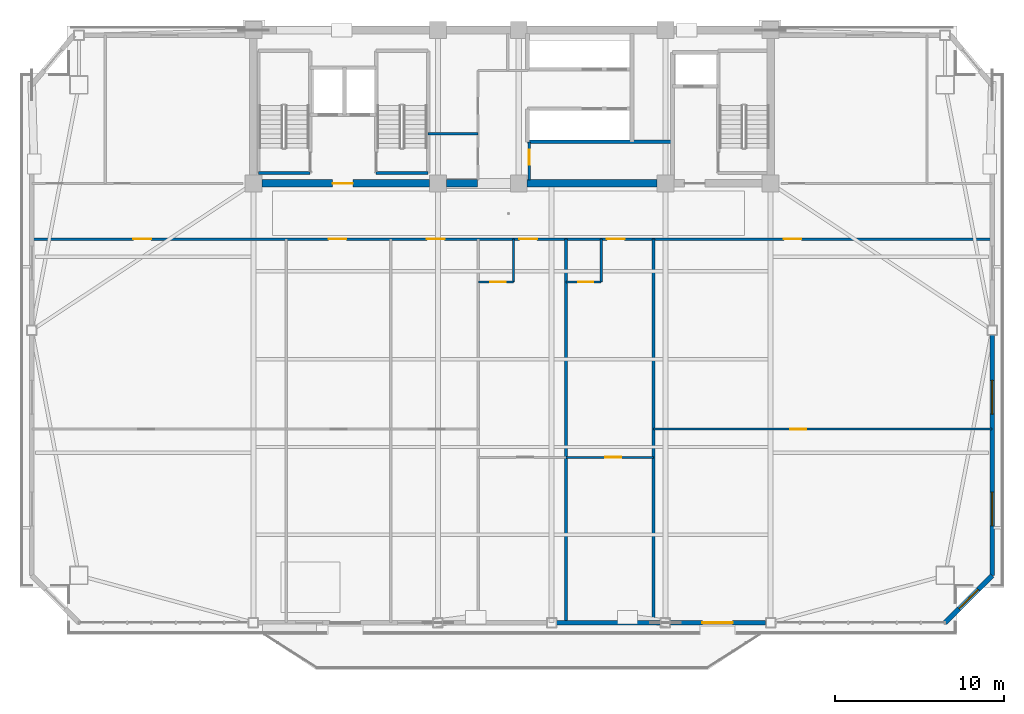
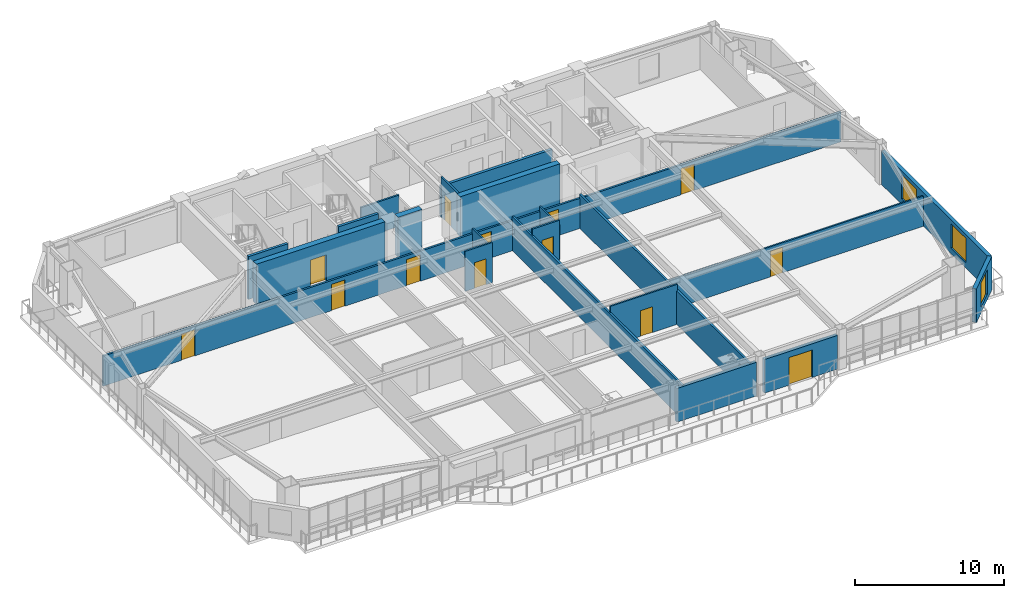
# One storey, part 9 of 17: 21 walls, 13 doors, 3 windows, 16 openings.
"""IFC4 building model written with IfcOpenShell, lengths in metres."""

from ifc_helpers import new_model, si_unit, direction, frame, frame_2d, origin, place, context, subcontext, project, spatial, rectangle, extrude, source, transform, mapped, material, layer, layer_set, type_object, element, fill, save


model = new_model("IFC4")

# Units and contexts
model_context = context("Model", 3, precision=1e-05, world=origin(), true_north=direction((0.0, 1.0)))
body_context = subcontext(model_context, "Body", "Model", "MODEL_VIEW")
ifc_project = project(units=[si_unit("LENGTHUNIT", "METRE"), si_unit("AREAUNIT", "SQUARE_METRE"), si_unit("VOLUMEUNIT", "CUBIC_METRE"), si_unit("PLANEANGLEUNIT", "RADIAN"), si_unit("MASSUNIT", "GRAM", prefix="KILO")], contexts=[model_context])

# Site, building, storey
site_placement = place(None, origin())
site = spatial("IfcSite", under=ifc_project, at=site_placement, CompositionType="ELEMENT")
building_placement = place(site_placement, origin())
building = spatial("IfcBuilding", under=site, at=building_placement, Name="Giltprow Tower", CompositionType="ELEMENT")
storey_placement = place(building_placement, frame((0.0, 0.0, 202.699951171875)))
storey = spatial("IfcBuildingStorey", under=building, at=storey_placement, Name="L51", CompositionType="ELEMENT", Elevation=202.699951171875)

# Wall, opening, window
ifc_material_1 = material(Name="Precast concrete C40", Category="concrete")
ifc_layer_1 = layer(ifc_material_1, 0.300048828125, Name="Precast concrete C40")
ifc_layer_set_1 = layer_set([ifc_layer_1], Name="Precast concrete C40")
wall_type_1 = type_object("IfcWallType", Name="EW-NOTCH-CHAMFER-300", PredefinedType="SOLIDWALL", material=ifc_layer_set_1)
wall_1_placement = place(storey_placement, frame((60.89794921875, 11.385986328125, 0.0), z_axis=(0.0, 0.0, 1.0), x_axis=(0.707106781187, 0.707106781187, 0.0)))
wall_1 = element("IfcWall", 1, at=wall_1_placement, inside=storey, type_object=wall_type_1, Name="L51 Corner Notch Wall SE", PredefinedType="SOLIDWALL", context=body_context, shape_type="SweptSolid", body=[
    extrude(rectangle(XDim=3.9599609375, YDim=0.300048828125, at=frame_2d((1.97998046875, 0.0))), origin(), (0.0, 0.0, 1.0), 2.75),
])
opening_1_placement = place(wall_1_placement, frame((1.179931640625, 0.0, 0.449951171875)))
opening_1 = element("IfcOpeningElement", 2, at=opening_1_placement, cuts=wall_1, Name="Opening WN17", PredefinedType="OPENING", context=body_context, shape_type="SweptSolid", body=[
    extrude(rectangle(XDim=1.60009765625, YDim=2.0, at=frame_2d((0.800048828125, 1.0))), frame((0.0, 0.159912109375, 0.0), z_axis=(0.0, -1.0, 0.0), x_axis=(1.0, 0.0, 0.0)), (0.0, 0.0, 1.0), 0.320068359375),
])
ifc_material_2 = material(Name="Insulated glass", Category="glass")
window_type_1 = type_object("IfcWindowType", Name="WN-COR-1600x2000", PartitioningType="SINGLE_PANEL", PredefinedType="WINDOW", material=ifc_material_2)
shared_shape_1 = source(origin(), body_context, "Body", "SweptSolid", [
    extrude(rectangle(XDim=1.60009765625, YDim=2.0, at=frame_2d((0.800048828125, 1.0))), frame((0.0, 0.030029296875, 0.0), z_axis=(0.0, -1.0, 0.0), x_axis=(1.0, 0.0, 0.0)), (0.0, 0.0, 1.0), 0.06005859375),
])
window_1_placement = place(opening_1_placement, origin())
window_1 = element("IfcWindow", 3, at=window_1_placement, inside=storey, type_object=window_type_1, Name="L51 Corner Notch Window SE", OverallHeight=2.0, OverallWidth=1.60009765625, PartitioningType="SINGLE_PANEL", PredefinedType="WINDOW", context=body_context, shape_type="MappedRepresentation", body=[
    mapped(shared_shape_1, transform((0.0, 0.0, 0.0), x_axis=(1.0, 0.0, 0.0), y_axis=(0.0, 1.0, 0.0), z_axis=(0.0, 0.0, 1.0), scale=1.0)),
])
fill(opening_1, window_1)

# Wall
ifc_layer_2 = layer(ifc_material_1, 0.280029296875, Name="Precast concrete C40")
ifc_layer_set_2 = layer_set([ifc_layer_2], Name="Precast concrete C40")
wall_type_2 = type_object("IfcWallType", Name="EW-TOW-BRONZE-280", PredefinedType="SOLIDWALL", material=ifc_layer_set_2)
wall_2_placement = place(storey_placement, frame((37.85009765625, 11.385986328125, 0.0), z_axis=(0.0, 0.0, 1.0), x_axis=(1.0, 0.0, 0.0)))
element("IfcWall", 4, at=wall_2_placement, inside=storey, type_object=wall_type_2, Name="L51 South Expressed Frame Wall 4", PredefinedType="SOLIDWALL", context=body_context, shape_type="SweptSolid", body=[
    extrude(rectangle(XDim=6.14990234375, YDim=0.280029296875, at=frame_2d((3.074951171875, 0.0))), origin(), (0.0, 0.0, 1.0), 2.75),
])

# Wall, opening, door
wall_3_placement = place(storey_placement, frame((44.60009765625, 11.385986328125, 0.0), z_axis=(0.0, 0.0, 1.0), x_axis=(1.0, 0.0, 0.0)))
wall_3 = element("IfcWall", 5, at=wall_3_placement, inside=storey, type_object=wall_type_2, Name="L51 South Expressed Frame Wall 5", PredefinedType="SOLIDWALL", context=body_context, shape_type="SweptSolid", body=[
    extrude(rectangle(XDim=5.64990234375, YDim=0.280029296875, at=frame_2d((2.824951171875, 0.0))), origin(), (0.0, 0.0, 1.0), 2.75),
])
opening_2_placement = place(wall_3_placement, frame((1.89990234375, 0.0, 0.0)))
opening_2 = element("IfcOpeningElement", 6, at=opening_2_placement, cuts=wall_3, Name="Opening ED25", PredefinedType="OPENING", context=body_context, shape_type="SweptSolid", body=[
    extrude(rectangle(XDim=1.800048828125, YDim=2.25, at=frame_2d((0.89990234375, 1.125))), frame((0.0, 0.14990234375, 0.0), z_axis=(0.0, -1.0, 0.0), x_axis=(1.0, 0.0, 0.0)), (0.0, 0.0, 1.0), 0.300048828125),
])
ifc_material_3 = material(Name="Anodized bronze and glass", Category="glass")
door_type_1 = type_object("IfcDoorType", Name="DR-BALC-SLIDE-1800", OperationType="SLIDING_TO_LEFT", PredefinedType="DOOR", material=ifc_material_3)
shared_shape_2 = source(origin(), body_context, "Body", "SweptSolid", [
    extrude(rectangle(XDim=1.800048828125, YDim=2.25, at=frame_2d((0.89990234375, 1.125))), frame((0.0, 0.02490234375, 0.0), z_axis=(0.0, -1.0, 0.0), x_axis=(1.0, 0.0, 0.0)), (0.0, 0.0, 1.0), 0.050048828125),
])
door_1_placement = place(opening_2_placement, origin())
door_1 = element("IfcDoor", 7, at=door_1_placement, inside=storey, type_object=door_type_1, Name="L51 Waterfront Balcony Sliding Door 2", OperationType="SLIDING_TO_LEFT", OverallHeight=2.25, OverallWidth=1.800048828125, PredefinedType="DOOR", context=body_context, shape_type="MappedRepresentation", body=[
    mapped(shared_shape_2, transform((0.0, 0.0, 0.0), x_axis=(1.0, 0.0, 0.0), y_axis=(0.0, 1.0, 0.0), z_axis=(0.0, 0.0, 1.0), scale=1.0)),
])
fill(opening_2, door_1)

# Wall, openings, windows
wall_4_placement = place(storey_placement, frame((63.697998046875, 14.18603515625, 0.0), z_axis=(0.0, 0.0, 1.0), x_axis=(0.0, 1.0, 0.0)))
wall_4 = element("IfcWall", 8, at=wall_4_placement, inside=storey, type_object=wall_type_2, Name="L51 E Wing Masonry Wall 1", PredefinedType="SOLIDWALL", context=body_context, shape_type="SweptSolid", body=[
    extrude(rectangle(XDim=14.257080078125, YDim=0.280029296875, at=frame_2d((7.12841796875, 0.0))), origin(), (0.0, 0.0, 1.0), 2.75),
])
opening_3_placement = place(wall_4_placement, frame((2.947021484375, 0.0, 0.449951171875)))
opening_3 = element("IfcOpeningElement", 9, at=opening_3_placement, cuts=wall_4, Name="Opening WN21", PredefinedType="OPENING", context=body_context, shape_type="SweptSolid", body=[
    extrude(rectangle(XDim=2.0, YDim=2.0, at=frame_2d((1.0, 1.0))), frame((0.0, 0.14990234375, 0.0), z_axis=(0.0, -1.0, 0.0), x_axis=(1.0, 0.0, 0.0)), (0.0, 0.0, 1.0), 0.300048828125),
])
opening_4_placement = place(wall_4_placement, frame((9.574951171875, 0.0, 0.449951171875)))
opening_4 = element("IfcOpeningElement", 10, at=opening_4_placement, cuts=wall_4, Name="Opening WN21", PredefinedType="OPENING", context=body_context, shape_type="SweptSolid", body=[
    extrude(rectangle(XDim=2.0, YDim=2.0, at=frame_2d((1.0, 1.0))), frame((0.0, 0.14990234375, 0.0), z_axis=(0.0, -1.0, 0.0), x_axis=(1.0, 0.0, 0.0)), (0.0, 0.0, 1.0), 0.300048828125),
])
window_type_2 = type_object("IfcWindowType", Name="WN-HTL-2000x2000", PartitioningType="DOUBLE_PANEL_VERTICAL", PredefinedType="WINDOW", material=ifc_material_2)
shared_shape_3 = source(origin(), body_context, "Body", "SweptSolid", [
    extrude(rectangle(XDim=2.0, YDim=2.0, at=frame_2d((1.0, 1.0))), frame((0.0, 0.030029296875, 0.0), z_axis=(0.0, -1.0, 0.0), x_axis=(1.0, 0.0, 0.0)), (0.0, 0.0, 1.0), 0.06005859375),
])
window_2_placement = place(opening_3_placement, origin())
window_2 = element("IfcWindow", 11, at=window_2_placement, inside=storey, type_object=window_type_2, Name="L51 E Wing Window 1-1A", OverallHeight=2.0, OverallWidth=2.0, PartitioningType="SINGLE_PANEL", PredefinedType="WINDOW", context=body_context, shape_type="MappedRepresentation", body=[
    mapped(shared_shape_3, transform((0.0, 0.0, 0.0), x_axis=(1.0, 0.0, 0.0), y_axis=(0.0, 1.0, 0.0), z_axis=(0.0, 0.0, 1.0), scale=1.0)),
])
fill(opening_3, window_2)
window_3_placement = place(opening_4_placement, origin())
window_3 = element("IfcWindow", 12, at=window_3_placement, inside=storey, type_object=window_type_2, Name="L51 E Wing Window 1-1B", OverallHeight=2.0, OverallWidth=2.0, PartitioningType="SINGLE_PANEL", PredefinedType="WINDOW", context=body_context, shape_type="MappedRepresentation", body=[
    mapped(shared_shape_3, transform((0.0, 0.0, 0.0), x_axis=(1.0, 0.0, 0.0), y_axis=(0.0, 1.0, 0.0), z_axis=(0.0, 0.0, 1.0), scale=1.0)),
])
fill(opening_4, window_3)

# Wall, openings, doors
ifc_material_4 = material(Name="Gypsum stud partition", Category="gypsum")
ifc_layer_3 = layer(ifc_material_4, 0.14990234375, Name="Gypsum stud partition")
ifc_layer_set_3 = layer_set([ifc_layer_3], Name="Gypsum stud partition")
wall_type_3 = type_object("IfcWallType", Name="IW-CORR-150", PredefinedType="PARTITIONING", material=ifc_layer_set_3)
wall_5_placement = place(storey_placement, frame((6.702880859375, 34.14990234375, 0.0), z_axis=(0.0, 0.0, 1.0), x_axis=(1.0, 0.0, 0.0)))
wall_5 = element("IfcWall", 13, at=wall_5_placement, inside=storey, type_object=wall_type_3, Name="L51 Hotel Guestroom Corridor Wall", PredefinedType="PARTITIONING", context=body_context, shape_type="SweptSolid", body=[
    extrude(rectangle(XDim=56.9951171875, YDim=0.14990234375, at=frame_2d((28.49755859375, 0.0))), origin(), (0.0, 0.0, 1.0), 2.455078125),
])
opening_5_placement = place(wall_5_placement, frame((6.030029296875, 0.0, 0.0)))
opening_5 = element("IfcOpeningElement", 14, at=opening_5_placement, cuts=wall_5, Name="Opening ID31", PredefinedType="OPENING", context=body_context, shape_type="SweptSolid", body=[
    extrude(rectangle(XDim=1.050048828125, YDim=2.14990234375, at=frame_2d((0.52490234375, 1.074951171875))), frame((0.0, 0.0849609375, 0.0), z_axis=(0.0, -1.0, 0.0), x_axis=(1.0, 0.0, 0.0)), (0.0, 0.0, 1.0), 0.169921875),
])
opening_6_placement = place(wall_5_placement, frame((17.6220703125, 0.0, 0.0)))
opening_6 = element("IfcOpeningElement", 15, at=opening_6_placement, cuts=wall_5, Name="Opening ID31", PredefinedType="OPENING", context=body_context, shape_type="SweptSolid", body=[
    extrude(rectangle(XDim=1.050048828125, YDim=2.14990234375, at=frame_2d((0.52490234375, 1.074951171875))), frame((0.0, 0.0849609375, 0.0), z_axis=(0.0, -1.0, 0.0), x_axis=(1.0, 0.0, 0.0)), (0.0, 0.0, 1.0), 0.169921875),
])
opening_7_placement = place(wall_5_placement, frame((23.44189453125, 0.0, 0.0)))
opening_7 = element("IfcOpeningElement", 16, at=opening_7_placement, cuts=wall_5, Name="Opening ID31", PredefinedType="OPENING", context=body_context, shape_type="SweptSolid", body=[
    extrude(rectangle(XDim=1.050048828125, YDim=2.14990234375, at=frame_2d((0.52490234375, 1.074951171875))), frame((0.0, 0.0849609375, 0.0), z_axis=(0.0, -1.0, 0.0), x_axis=(1.0, 0.0, 0.0)), (0.0, 0.0, 1.0), 0.169921875),
])
opening_8_placement = place(wall_5_placement, frame((28.93310546875, 0.0, 0.0)))
opening_8 = element("IfcOpeningElement", 17, at=opening_8_placement, cuts=wall_5, Name="Opening ID31", PredefinedType="OPENING", context=body_context, shape_type="SweptSolid", body=[
    extrude(rectangle(XDim=1.050048828125, YDim=2.14990234375, at=frame_2d((0.52490234375, 1.074951171875))), frame((0.0, 0.0849609375, 0.0), z_axis=(0.0, -1.0, 0.0), x_axis=(1.0, 0.0, 0.0)), (0.0, 0.0, 1.0), 0.169921875),
])
opening_9_placement = place(wall_5_placement, frame((34.133056640625, 0.0, 0.0)))
opening_9 = element("IfcOpeningElement", 18, at=opening_9_placement, cuts=wall_5, Name="Opening ID31", PredefinedType="OPENING", context=body_context, shape_type="SweptSolid", body=[
    extrude(rectangle(XDim=1.050048828125, YDim=2.14990234375, at=frame_2d((0.52490234375, 1.074951171875))), frame((0.0, 0.0849609375, 0.0), z_axis=(0.0, -1.0, 0.0), x_axis=(1.0, 0.0, 0.0)), (0.0, 0.0, 1.0), 0.169921875),
])
opening_10_placement = place(wall_5_placement, frame((44.626953125, 0.0, 0.0)))
opening_10 = element("IfcOpeningElement", 19, at=opening_10_placement, cuts=wall_5, Name="Opening ID31", PredefinedType="OPENING", context=body_context, shape_type="SweptSolid", body=[
    extrude(rectangle(XDim=1.050048828125, YDim=2.14990234375, at=frame_2d((0.52490234375, 1.074951171875))), frame((0.0, 0.0849609375, 0.0), z_axis=(0.0, -1.0, 0.0), x_axis=(1.0, 0.0, 0.0)), (0.0, 0.0, 1.0), 0.169921875),
])
ifc_material_5 = material(Name="Engineered timber", Category="wood")
door_type_2 = type_object("IfcDoorType", Name="DR-SUITE-1050", OperationType="SINGLE_SWING_LEFT", PredefinedType="DOOR", material=ifc_material_5)
shared_shape_4 = source(origin(), body_context, "Body", "SweptSolid", [
    extrude(rectangle(XDim=1.050048828125, YDim=2.14990234375, at=frame_2d((0.52490234375, 1.074951171875))), frame((0.0, 0.02490234375, 0.0), z_axis=(0.0, -1.0, 0.0), x_axis=(1.0, 0.0, 0.0)), (0.0, 0.0, 1.0), 0.050048828125),
])
door_2_placement = place(opening_5_placement, origin())
door_2 = element("IfcDoor", 20, at=door_2_placement, inside=storey, type_object=door_type_2, Name="L51 Suite Reception Foyer Door", OperationType="SINGLE_SWING_LEFT", OverallHeight=2.14990234375, OverallWidth=1.050048828125, PredefinedType="DOOR", context=body_context, shape_type="MappedRepresentation", body=[
    mapped(shared_shape_4, transform((0.0, 0.0, 0.0), x_axis=(1.0, 0.0, 0.0), y_axis=(0.0, 1.0, 0.0), z_axis=(0.0, 0.0, 1.0), scale=1.0)),
])
fill(opening_5, door_2)
door_3_placement = place(opening_6_placement, origin())
door_3 = element("IfcDoor", 21, at=door_3_placement, inside=storey, type_object=door_type_2, Name="L51 Suite Reception Foyer Door", OperationType="SINGLE_SWING_LEFT", OverallHeight=2.14990234375, OverallWidth=1.050048828125, PredefinedType="DOOR", context=body_context, shape_type="MappedRepresentation", body=[
    mapped(shared_shape_4, transform((0.0, 0.0, 0.0), x_axis=(1.0, 0.0, 0.0), y_axis=(0.0, 1.0, 0.0), z_axis=(0.0, 0.0, 1.0), scale=1.0)),
])
fill(opening_6, door_3)
door_4_placement = place(opening_7_placement, origin())
door_4 = element("IfcDoor", 22, at=door_4_placement, inside=storey, type_object=door_type_2, Name="L51 Suite Reception Foyer Door", OperationType="SINGLE_SWING_LEFT", OverallHeight=2.14990234375, OverallWidth=1.050048828125, PredefinedType="DOOR", context=body_context, shape_type="MappedRepresentation", body=[
    mapped(shared_shape_4, transform((0.0, 0.0, 0.0), x_axis=(1.0, 0.0, 0.0), y_axis=(0.0, 1.0, 0.0), z_axis=(0.0, 0.0, 1.0), scale=1.0)),
])
fill(opening_7, door_4)
door_5_placement = place(opening_8_placement, origin())
door_5 = element("IfcDoor", 23, at=door_5_placement, inside=storey, type_object=door_type_2, Name="L51 Hotel Room 4 Entry Door", OperationType="SINGLE_SWING_LEFT", OverallHeight=2.14990234375, OverallWidth=1.050048828125, PredefinedType="DOOR", context=body_context, shape_type="MappedRepresentation", body=[
    mapped(shared_shape_4, transform((0.0, 0.0, 0.0), x_axis=(1.0, 0.0, 0.0), y_axis=(0.0, 1.0, 0.0), z_axis=(0.0, 0.0, 1.0), scale=1.0)),
])
fill(opening_8, door_5)
door_6_placement = place(opening_9_placement, origin())
door_6 = element("IfcDoor", 24, at=door_6_placement, inside=storey, type_object=door_type_2, Name="L51 Hotel Room 5 Entry Door", OperationType="SINGLE_SWING_RIGHT", OverallHeight=2.14990234375, OverallWidth=1.050048828125, PredefinedType="DOOR", context=body_context, shape_type="MappedRepresentation", body=[
    mapped(shared_shape_4, transform((0.0, 0.0, 0.0), x_axis=(1.0, 0.0, 0.0), y_axis=(0.0, 1.0, 0.0), z_axis=(0.0, 0.0, 1.0), scale=1.0)),
])
fill(opening_9, door_6)
door_7_placement = place(opening_10_placement, origin())
door_7 = element("IfcDoor", 25, at=door_7_placement, inside=storey, type_object=door_type_2, Name="L51 Suite Reception Foyer Door", OperationType="SINGLE_SWING_LEFT", OverallHeight=2.14990234375, OverallWidth=1.050048828125, PredefinedType="DOOR", context=body_context, shape_type="MappedRepresentation", body=[
    mapped(shared_shape_4, transform((0.0, 0.0, 0.0), x_axis=(1.0, 0.0, 0.0), y_axis=(0.0, 1.0, 0.0), z_axis=(0.0, 0.0, 1.0), scale=1.0)),
])
fill(opening_10, door_7)

# Walls
ifc_layer_4 = layer(ifc_material_4, 0.159912109375, Name="Gypsum stud partition")
ifc_layer_set_4 = layer_set([ifc_layer_4], Name="Gypsum stud partition")
wall_type_4 = type_object("IfcWallType", Name="IW-DEMISE-160", PredefinedType="PARTITIONING", material=ifc_layer_set_4)
for number, where, z_axis, x_axis, name in (
    (26, (38.39990234375, 11.385986328125, 0.0), (0.0, 0.0, 1.0), (0.0, 1.0, 0.0), "L51 Hotel Demising Wall 4"),
    (27, (43.60009765625, 11.385986328125, 0.0), (0.0, 0.0, 1.0), (0.0, 1.0, 0.0), "L51 Hotel Demising Wall 5"),
):
    element("IfcWall", number, at=place(storey_placement, frame(where, z_axis=z_axis, x_axis=x_axis)), inside=storey, type_object=wall_type_4, Name=name, PredefinedType="PARTITIONING", context=body_context, shape_type="SweptSolid", body=[
        extrude(rectangle(XDim=22.763916015625, YDim=0.159912109375, at=frame_2d((11.3818359375, 0.0))), origin(), (0.0, 0.0, 1.0), 2.755126953125),
    ])

# Wall, opening, door
ifc_layer_5 = layer(ifc_material_4, 0.1201171875, Name="Gypsum stud partition")
ifc_layer_set_5 = layer_set([ifc_layer_5], Name="Gypsum stud partition")
wall_type_5 = type_object("IfcWallType", Name="IW-ROOM-120", PredefinedType="PARTITIONING", material=ifc_layer_set_5)
wall_6_placement = place(storey_placement, frame((38.39990234375, 21.193115234375, 0.0), z_axis=(0.0, 0.0, 1.0), x_axis=(1.0, 0.0, 0.0)))
wall_6 = element("IfcWall", 28, at=wall_6_placement, inside=storey, type_object=wall_type_5, Name="L51 Suite Parlour Divider 5", PredefinedType="PARTITIONING", context=body_context, shape_type="SweptSolid", body=[
    extrude(rectangle(XDim=5.2001953125, YDim=0.1201171875, at=frame_2d((2.60009765625, 0.0))), origin(), (0.0, 0.0, 1.0), 3.27001953125),
])
opening_11_placement = place(wall_6_placement, frame((2.324951171875, 0.0, 0.0)))
opening_11 = element("IfcOpeningElement", 29, at=opening_11_placement, cuts=wall_6, Name="Opening ID11", PredefinedType="OPENING", context=body_context, shape_type="SweptSolid", body=[
    extrude(rectangle(XDim=0.949951171875, YDim=2.10009765625, at=frame_2d((0.47509765625, 1.050048828125))), frame((0.0, 0.070068359375, 0.0), z_axis=(0.0, -1.0, 0.0), x_axis=(1.0, 0.0, 0.0)), (0.0, 0.0, 1.0), 0.14013671875),
])
door_type_3 = type_object("IfcDoorType", Name="DR-ROOM-950", OperationType="SINGLE_SWING_RIGHT", PredefinedType="DOOR", material=ifc_material_5)
shared_shape_5 = source(origin(), body_context, "Body", "SweptSolid", [
    extrude(rectangle(XDim=0.949951171875, YDim=2.10009765625, at=frame_2d((0.47509765625, 1.050048828125))), frame((0.0, 0.02490234375, 0.0), z_axis=(0.0, -1.0, 0.0), x_axis=(1.0, 0.0, 0.0)), (0.0, 0.0, 1.0), 0.050048828125),
])
door_8_placement = place(opening_11_placement, origin())
door_8 = element("IfcDoor", 30, at=door_8_placement, inside=storey, type_object=door_type_3, Name="L51 Harbour Parlour 5 Door", OperationType="SINGLE_SWING_RIGHT", OverallHeight=2.10009765625, OverallWidth=0.949951171875, PredefinedType="DOOR", context=body_context, shape_type="MappedRepresentation", body=[
    mapped(shared_shape_5, transform((0.0, 0.0, 0.0), x_axis=(1.0, 0.0, 0.0), y_axis=(0.0, 1.0, 0.0), z_axis=(0.0, 0.0, 1.0), scale=1.0)),
])
fill(opening_11, door_8)

wall_7_placement = place(storey_placement, frame((43.60009765625, 22.867919921875, 0.0), z_axis=(0.0, 0.0, 1.0), x_axis=(1.0, 0.0, 0.0)))
wall_7 = element("IfcWall", 31, at=wall_7_placement, inside=storey, type_object=wall_type_5, Name="L51 Amenity Mid Wall 6", PredefinedType="PARTITIONING", context=body_context, shape_type="SweptSolid", body=[
    extrude(rectangle(XDim=20.097900390625, YDim=0.1201171875, at=frame_2d((10.048828125, 0.0))), origin(), (0.0, 0.0, 1.0), 2.455078125),
])
opening_12_placement = place(wall_7_placement, frame((8.125, 0.0, 0.0)))
opening_12 = element("IfcOpeningElement", 32, at=opening_12_placement, cuts=wall_7, Name="Opening ID11", PredefinedType="OPENING", context=body_context, shape_type="SweptSolid", body=[
    extrude(rectangle(XDim=0.949951171875, YDim=2.10009765625, at=frame_2d((0.47509765625, 1.050048828125))), frame((0.0, 0.070068359375, 0.0), z_axis=(0.0, -1.0, 0.0), x_axis=(1.0, 0.0, 0.0)), (0.0, 0.0, 1.0), 0.14013671875),
])
door_9_placement = place(opening_12_placement, origin())
door_9 = element("IfcDoor", 33, at=door_9_placement, inside=storey, type_object=door_type_3, Name="L51 Banquet Chair Store 4 Inner Door", OperationType="SINGLE_SWING_RIGHT", OverallHeight=2.10009765625, OverallWidth=0.949951171875, PredefinedType="DOOR", context=body_context, shape_type="MappedRepresentation", body=[
    mapped(shared_shape_5, transform((0.0, 0.0, 0.0), x_axis=(1.0, 0.0, 0.0), y_axis=(0.0, 1.0, 0.0), z_axis=(0.0, 0.0, 1.0), scale=1.0)),
])
fill(opening_12, door_9)

# Walls
ifc_material_6 = material(Name="Concrete C40", Category="concrete")
ifc_layer_6 = layer(ifc_material_6, 0.219970703125, Name="Concrete C40")
ifc_layer_set_6 = layer_set([ifc_layer_6], Name="Concrete C40")
wall_type_6 = type_object("IfcWallType", Name="IW-SHAFT-220", PredefinedType="SOLIDWALL", material=ifc_layer_set_6)
wall_8_placement = place(storey_placement, frame((36.1201171875, 39.919921875, 0.0), z_axis=(0.0, 0.0, 1.0), x_axis=(1.0, 0.0, 0.0)))
element("IfcWall", 34, at=wall_8_placement, inside=storey, type_object=wall_type_6, Name="L51 Mid-Rise South Lift Back Wall", PredefinedType="SOLIDWALL", context=body_context, shape_type="SweptSolid", body=[
    extrude(rectangle(XDim=8.599853515625, YDim=0.219970703125, at=frame_2d((4.2998046875, 0.0))), origin(), (0.0, 0.0, 1.0), 2.554931640625),
])
ifc_layer_7 = layer(ifc_material_6, 0.199951171875, Name="Concrete C40")
ifc_layer_set_7 = layer_set([ifc_layer_7], Name="Concrete C40")
wall_type_7 = type_object("IfcWallType", Name="IW-STAIR-200", PredefinedType="SOLIDWALL", material=ifc_layer_set_7)
wall_9_placement = place(storey_placement, frame((20.169921875, 38.070068359375, 0.0), z_axis=(0.0, 0.0, 1.0), x_axis=(1.0, 0.0, 0.0)))
element("IfcWall", 35, at=wall_9_placement, inside=storey, type_object=wall_type_7, Name="L51 Stair ST-1 South Bearing Wall", PredefinedType="SOLIDWALL", context=body_context, shape_type="SweptSolid", body=[
    extrude(rectangle(XDim=3.050048828125, YDim=0.199951171875, at=frame_2d((1.52490234375, 0.0))), origin(), (0.0, 0.0, 1.0), 3.5),
])
wall_10_placement = place(storey_placement, frame((27.139892578125, 38.070068359375, 0.0), z_axis=(0.0, 0.0, 1.0), x_axis=(1.0, 0.0, 0.0)))
element("IfcWall", 36, at=wall_10_placement, inside=storey, type_object=wall_type_7, Name="L51 Stair ST-2 South Bearing Wall", PredefinedType="SOLIDWALL", context=body_context, shape_type="SweptSolid", body=[
    extrude(rectangle(XDim=3.080078125, YDim=0.199951171875, at=frame_2d((1.5400390625, 0.0))), origin(), (0.0, 0.0, 1.0), 3.5),
])
ifc_material_7 = material(Name="Concrete C30", Category="concrete")
ifc_layer_8 = layer(ifc_material_7, 0.1298828125, Name="Concrete C30")
ifc_layer_set_8 = layer_set([ifc_layer_8], Name="Concrete C30")
wall_type_8 = type_object("IfcWallType", Name="IW-WET-130", PredefinedType="PARTITIONING", material=ifc_layer_set_8)
wall_11_placement = place(storey_placement, frame((30.219970703125, 40.39990234375, 0.0), z_axis=(0.0, 0.0, 1.0), x_axis=(1.0, 0.0, 0.0)))
element("IfcWall", 37, at=wall_11_placement, inside=storey, type_object=wall_type_8, Name="L51 Core Housekeeping Split 2", PredefinedType="PARTITIONING", context=body_context, shape_type="SweptSolid", body=[
    extrude(rectangle(XDim=2.9599609375, YDim=0.1298828125, at=frame_2d((1.47998046875, 0.0))), origin(), (0.0, 0.0, 1.0), 2.554931640625),
])

# Wall, opening, door
wall_12_placement = place(storey_placement, frame((36.219970703125, 37.655029296875, 0.0), z_axis=(0.0, 0.0, 1.0), x_axis=(0.0, 1.0, 0.0)))
wall_12 = element("IfcWall", 38, at=wall_12_placement, inside=storey, type_object=wall_type_8, Name="L51 Core Valet West Wall", PredefinedType="PARTITIONING", context=body_context, shape_type="SweptSolid", body=[
    extrude(rectangle(XDim=2.264892578125, YDim=0.1298828125, at=frame_2d((1.13232421875, 0.0))), origin(), (0.0, 0.0, 1.0), 3.27001953125),
])
opening_13_placement = place(wall_12_placement, frame((0.905029296875, 0.0, 0.0)))
opening_13 = element("IfcOpeningElement", 39, at=opening_13_placement, cuts=wall_12, Name="Opening ID35", PredefinedType="OPENING", context=body_context, shape_type="SweptSolid", body=[
    extrude(rectangle(XDim=0.89990234375, YDim=2.10009765625, at=frame_2d((0.449951171875, 1.050048828125))), frame((0.0, 0.074951171875, 0.0), z_axis=(0.0, -1.0, 0.0), x_axis=(1.0, 0.0, 0.0)), (0.0, 0.0, 1.0), 0.14990234375),
])
ifc_material_8 = material(Name="Steel fire leaf", Category="steel")
door_type_4 = type_object("IfcDoorType", Name="DR-SHAFT-900", OperationType="SINGLE_SWING_LEFT", PredefinedType="DOOR", material=ifc_material_8)
shared_shape_6 = source(origin(), body_context, "Body", "SweptSolid", [
    extrude(rectangle(XDim=0.89990234375, YDim=2.10009765625, at=frame_2d((0.449951171875, 1.050048828125))), frame((0.0, 0.02490234375, 0.0), z_axis=(0.0, -1.0, 0.0), x_axis=(1.0, 0.0, 0.0)), (0.0, 0.0, 1.0), 0.050048828125),
])
door_10_placement = place(opening_13_placement, origin())
door_10 = element("IfcDoor", 40, at=door_10_placement, inside=storey, type_object=door_type_4, Name="L51 Core Valet Pantry Door", OperationType="SINGLE_SWING_RIGHT", OverallHeight=2.10009765625, OverallWidth=0.89990234375, PredefinedType="DOOR", context=body_context, shape_type="MappedRepresentation", body=[
    mapped(shared_shape_6, transform((0.0, 0.0, 0.0), x_axis=(1.0, 0.0, 0.0), y_axis=(0.0, 1.0, 0.0), z_axis=(0.0, 0.0, 1.0), scale=1.0)),
])
fill(opening_13, door_10)

wall_13_placement = place(storey_placement, frame((33.199951171875, 31.60009765625, 0.0), z_axis=(0.0, 0.0, 1.0), x_axis=(1.0, 0.0, 0.0)))
wall_13 = element("IfcWall", 41, at=wall_13_placement, inside=storey, type_object=wall_type_8, Name="L51 En-Suite South Wall 4", PredefinedType="PARTITIONING", context=body_context, shape_type="SweptSolid", body=[
    extrude(rectangle(XDim=2.095947265625, YDim=0.1298828125, at=frame_2d((1.0478515625, 0.0))), origin(), (0.0, 0.0, 1.0), 3.27001953125),
])
opening_14_placement = place(wall_13_placement, frame((0.718017578125, 0.0, 0.0)))
opening_14 = element("IfcOpeningElement", 42, at=opening_14_placement, cuts=wall_13, Name="Opening ID15", PredefinedType="OPENING", context=body_context, shape_type="SweptSolid", body=[
    extrude(rectangle(XDim=0.89990234375, YDim=2.10009765625, at=frame_2d((0.449951171875, 1.050048828125))), frame((0.0, 0.074951171875, 0.0), z_axis=(0.0, -1.0, 0.0), x_axis=(1.0, 0.0, 0.0)), (0.0, 0.0, 1.0), 0.14990234375),
])
door_type_5 = type_object("IfcDoorType", Name="DR-WC-900", OperationType="SINGLE_SWING_LEFT", PredefinedType="DOOR", material=ifc_material_5)
door_11_placement = place(opening_14_placement, origin())
door_11 = element("IfcDoor", 43, at=door_11_placement, inside=storey, type_object=door_type_5, Name="L51 En-Suite 4 Door", OperationType="SINGLE_SWING_RIGHT", OverallHeight=2.10009765625, OverallWidth=0.89990234375, PredefinedType="DOOR", context=body_context, shape_type="MappedRepresentation", body=[
    mapped(shared_shape_6, transform((0.0, 0.0, 0.0), x_axis=(1.0, 0.0, 0.0), y_axis=(0.0, 1.0, 0.0), z_axis=(0.0, 0.0, 1.0), scale=1.0)),
])
fill(opening_14, door_11)

# Wall
wall_14_placement = place(storey_placement, frame((35.2958984375, 31.60009765625, 0.0), z_axis=(0.0, 0.0, 1.0), x_axis=(0.0, 1.0, 0.0)))
element("IfcWall", 44, at=wall_14_placement, inside=storey, type_object=wall_type_8, Name="L51 En-Suite East Wall 4", PredefinedType="PARTITIONING", context=body_context, shape_type="SweptSolid", body=[
    extrude(rectangle(XDim=2.5498046875, YDim=0.1298828125, at=frame_2d((1.27490234375, 0.0))), origin(), (0.0, 0.0, 1.0), 2.85498046875),
])

# Wall, opening, door
wall_15_placement = place(storey_placement, frame((38.39990234375, 31.60009765625, 0.0), z_axis=(0.0, 0.0, 1.0), x_axis=(1.0, 0.0, 0.0)))
wall_15 = element("IfcWall", 45, at=wall_15_placement, inside=storey, type_object=wall_type_8, Name="L51 En-Suite South Wall 5", PredefinedType="PARTITIONING", context=body_context, shape_type="SweptSolid", body=[
    extrude(rectangle(XDim=2.09619140625, YDim=0.1298828125, at=frame_2d((1.048095703125, 0.0))), origin(), (0.0, 0.0, 1.0), 3.27001953125),
])
opening_15_placement = place(wall_15_placement, frame((0.718017578125, 0.0, 0.0)))
opening_15 = element("IfcOpeningElement", 46, at=opening_15_placement, cuts=wall_15, Name="Opening ID15", PredefinedType="OPENING", context=body_context, shape_type="SweptSolid", body=[
    extrude(rectangle(XDim=0.89990234375, YDim=2.10009765625, at=frame_2d((0.449951171875, 1.050048828125))), frame((0.0, 0.074951171875, 0.0), z_axis=(0.0, -1.0, 0.0), x_axis=(1.0, 0.0, 0.0)), (0.0, 0.0, 1.0), 0.14990234375),
])
door_12_placement = place(opening_15_placement, origin())
door_12 = element("IfcDoor", 47, at=door_12_placement, inside=storey, type_object=door_type_5, Name="L51 En-Suite 5 Door", OperationType="SINGLE_SWING_LEFT", OverallHeight=2.10009765625, OverallWidth=0.89990234375, PredefinedType="DOOR", context=body_context, shape_type="MappedRepresentation", body=[
    mapped(shared_shape_6, transform((0.0, 0.0, 0.0), x_axis=(1.0, 0.0, 0.0), y_axis=(0.0, 1.0, 0.0), z_axis=(0.0, 0.0, 1.0), scale=1.0)),
])
fill(opening_15, door_12)

# Wall
wall_16_placement = place(storey_placement, frame((40.49609375, 31.60009765625, 0.0), z_axis=(0.0, 0.0, 1.0), x_axis=(0.0, 1.0, 0.0)))
element("IfcWall", 48, at=wall_16_placement, inside=storey, type_object=wall_type_8, Name="L51 En-Suite East Wall 5", PredefinedType="PARTITIONING", context=body_context, shape_type="SweptSolid", body=[
    extrude(rectangle(XDim=2.5498046875, YDim=0.1298828125, at=frame_2d((1.27490234375, 0.0))), origin(), (0.0, 0.0, 1.0), 2.85498046875),
])

# Wall, opening, door
ifc_material_9 = material(Name="Concrete C50", Category="concrete")
ifc_layer_9 = layer(ifc_material_9, 0.449951171875, Name="Concrete C50")
ifc_layer_set_9 = layer_set([ifc_layer_9], Name="Concrete C50")
wall_type_9 = type_object("IfcWallType", Name="SW-INT-450-C50", PredefinedType="SHEAR", material=ifc_layer_set_9)
wall_17_placement = place(storey_placement, frame((20.35009765625, 37.449951171875, 0.0), z_axis=(0.0, 0.0, 1.0), x_axis=(1.0, 0.0, 0.0)))
wall_17 = element("IfcWall", 49, at=wall_17_placement, inside=storey, type_object=wall_type_9, Name="L51 South Rear Core Shear Wall West", PredefinedType="SHEAR", context=body_context, shape_type="SweptSolid", body=[
    extrude(rectangle(XDim=9.949951171875, YDim=0.449951171875, at=frame_2d((4.97509765625, 0.0))), origin(), (0.0, 0.0, 1.0), 3.27001953125),
])
opening_16_placement = place(wall_17_placement, frame((4.199951171875, 0.0, 0.0)))
opening_16 = element("IfcOpeningElement", 50, at=opening_16_placement, cuts=wall_17, Name="Opening ID19", PredefinedType="OPENING", context=body_context, shape_type="SweptSolid", body=[
    extrude(rectangle(XDim=1.199951171875, YDim=2.14990234375, at=frame_2d((0.60009765625, 1.074951171875))), frame((0.0, 0.23486328125, 0.0), z_axis=(0.0, -1.0, 0.0), x_axis=(1.0, 0.0, 0.0)), (0.0, 0.0, 1.0), 0.469970703125),
])
door_type_6 = type_object("IfcDoorType", Name="DR-FFLOBBY-1200", OperationType="SINGLE_SWING_RIGHT", PredefinedType="DOOR", material=ifc_material_8)
shared_shape_7 = source(origin(), body_context, "Body", "SweptSolid", [
    extrude(rectangle(XDim=1.199951171875, YDim=2.14990234375, at=frame_2d((0.60009765625, 1.074951171875))), frame((0.0, 0.02490234375, 0.0), z_axis=(0.0, -1.0, 0.0), x_axis=(1.0, 0.0, 0.0)), (0.0, 0.0, 1.0), 0.050048828125),
])
door_13_placement = place(opening_16_placement, origin())
door_13 = element("IfcDoor", 51, at=door_13_placement, inside=storey, type_object=door_type_6, Name="L51 West Firefighting Lobby Entry Door", OperationType="SINGLE_SWING_RIGHT", OverallHeight=2.14990234375, OverallWidth=1.199951171875, PredefinedType="DOOR", context=body_context, shape_type="MappedRepresentation", body=[
    mapped(shared_shape_7, transform((0.0, 0.0, 0.0), x_axis=(1.0, 0.0, 0.0), y_axis=(0.0, 1.0, 0.0), z_axis=(0.0, 0.0, 1.0), scale=1.0)),
])
fill(opening_16, door_13)

# Walls
wall_18_placement = place(storey_placement, frame((31.300048828125, 37.449951171875, 0.0), z_axis=(0.0, 0.0, 1.0), x_axis=(1.0, 0.0, 0.0)))
element("IfcWall", 52, at=wall_18_placement, inside=storey, type_object=wall_type_9, Name="L51 South Rear Core Shear Wall Mid-West", PredefinedType="SHEAR", context=body_context, shape_type="SweptSolid", body=[
    extrude(rectangle(XDim=1.849853515625, YDim=0.449951171875, at=frame_2d((0.9248046875, 0.0))), origin(), (0.0, 0.0, 1.0), 3.27001953125),
])
wall_19_placement = place(storey_placement, frame((36.10009765625, 37.449951171875, 0.0), z_axis=(0.0, 0.0, 1.0), x_axis=(1.0, 0.0, 0.0)))
element("IfcWall", 53, at=wall_19_placement, inside=storey, type_object=wall_type_9, Name="L51 South Rear Core Shear Wall Mid-East", PredefinedType="SHEAR", context=body_context, shape_type="SweptSolid", body=[
    extrude(rectangle(XDim=7.699951171875, YDim=0.449951171875, at=frame_2d((3.85009765625, 0.0))), origin(), (0.0, 0.0, 1.0), 3.27001953125),
])

save(model, "model.ifc")
